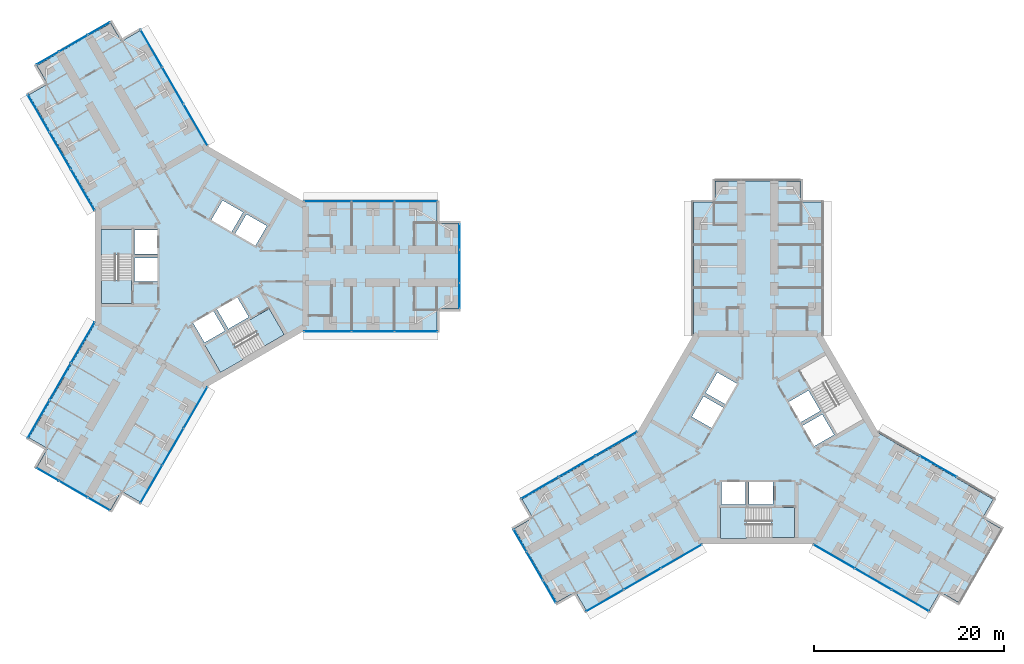
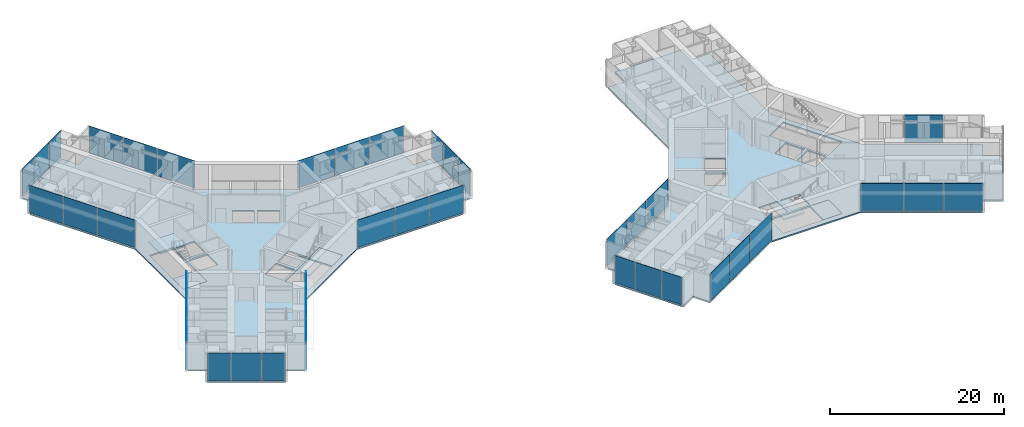
# One storey, part 14 of 25: 40 plates, 8 slabs, 17 elements without a shape of their own.
"""IFC4 building model written with IfcOpenShell, lengths in metres."""

from ifc_helpers import new_model, si_unit, direction, frame, origin, origin_2d, place, context, subcontext, project, spatial, polyline, rectangle, outline, extrude, material, layer, layer_set, type_object, element, aggregate, save


model = new_model("IFC4")

# Units and contexts
model_context = context("Model", 3, precision=1e-05, world=origin(), true_north=direction((0.0, 1.0)))
body_context = subcontext(model_context, "Body", "Model", "MODEL_VIEW")
ifc_project = project(units=[si_unit("LENGTHUNIT", "METRE"), si_unit("AREAUNIT", "SQUARE_METRE"), si_unit("VOLUMEUNIT", "CUBIC_METRE"), si_unit("PLANEANGLEUNIT", "RADIAN"), si_unit("MASSUNIT", "GRAM", prefix="KILO")], contexts=[model_context])

# Site, building, storey
site_placement = place(None, origin())
site = spatial("IfcSite", under=ifc_project, at=site_placement, CompositionType="ELEMENT")
building_placement = place(site_placement, origin())
building = spatial("IfcBuilding", under=site, at=building_placement, Name="Upepo Twin Towers", CompositionType="ELEMENT")
storey_placement = place(building_placement, frame((0.0, 0.0, 76.5)))
storey = spatial("IfcBuildingStorey", under=building, at=storey_placement, Name="L18", CompositionType="ELEMENT", Elevation=76.5)

# Curtain wall, plates
ifc_material_1 = material(Name="Aluminium and fritted glass", Category="aluminium")
curtain_wall_type = type_object("IfcCurtainWallType", Name="Tower curtain wall TW1, fritted glass", PredefinedType="NOTDEFINED", material=ifc_material_1)
curtain_wall_1_placement = place(storey_placement, origin())
curtain_wall_1 = element("IfcCurtainWall", 1, at=curtain_wall_1_placement, inside=storey, type_object=curtain_wall_type, Name="T1 L18 wing A flank L curtain wall", PredefinedType="NOTDEFINED")
ifc_material_2 = material(Name="Ceramic-fritted laminated glass", Category="glass")
ifc_layer_1 = layer(ifc_material_2, 0.031982421875)
ifc_layer_set_1 = layer_set([ifc_layer_1], Name="Fritted glass panel, 30 per cent dot frit, 32 mm double glazed")
plate_type_1 = type_object("IfcPlateType", Name="Fritted glass panel, 30 per cent dot frit, 32 mm double glazed", PredefinedType="CURTAIN_PANEL", material=ifc_layer_set_1)
plate_1_placement = place(storey_placement, frame((13.23486328125, 6.85009765625, 0.14990234375), z_axis=(0.0, 0.0, 1.0), x_axis=(1.0, 0.0, 0.0)))
plate_1 = element("IfcPlate", 2, at=plate_1_placement, type_object=plate_type_1, Name="T1 L18 wing A flank L curtain wall panel 1", PredefinedType="CURTAIN_PANEL", context=body_context, shape_type="SweptSolid", body=[
    extrude(rectangle(XDim=4.96533203125, YDim=0.031982421875, at=origin_2d()), origin(), (0.0, 0.0, 1.0), 3.85009765625),
])
plate_2_placement = place(storey_placement, frame((18.0, 6.85009765625, 0.14990234375), z_axis=(0.0, 0.0, 1.0), x_axis=(1.0, 0.0, 0.0)))
plate_2 = element("IfcPlate", 3, at=plate_2_placement, type_object=plate_type_1, Name="T1 L18 wing A flank L curtain wall panel 2", PredefinedType="CURTAIN_PANEL", context=body_context, shape_type="SweptSolid", body=[
    extrude(rectangle(XDim=4.43505859375, YDim=0.031982421875, at=origin_2d()), origin(), (0.0, 0.0, 1.0), 3.85009765625),
])
plate_3_placement = place(storey_placement, frame((22.53369140625, 6.85009765625, 0.14990234375), z_axis=(0.0, 0.0, 1.0), x_axis=(1.0, 0.0, 0.0)))
plate_3 = element("IfcPlate", 4, at=plate_3_placement, type_object=plate_type_1, Name="T1 L18 wing A flank L curtain wall panel 3", PredefinedType="CURTAIN_PANEL", context=body_context, shape_type="SweptSolid", body=[
    extrude(rectangle(XDim=4.50244140625, YDim=0.031982421875, at=origin_2d()), origin(), (0.0, 0.0, 1.0), 3.85009765625),
])
aggregate(curtain_wall_1, [plate_1, plate_2, plate_3])

curtain_wall_2_placement = place(storey_placement, origin())
curtain_wall_2 = element("IfcCurtainWall", 5, at=curtain_wall_2_placement, inside=storey, type_object=curtain_wall_type, Name="T1 L18 wing A flank R curtain wall", PredefinedType="NOTDEFINED")
plate_4_placement = place(storey_placement, frame((22.53369140625, -6.85009765625, 0.14990234375), z_axis=(0.0, 0.0, 1.0), x_axis=(-1.0, 0.0, 0.0)))
plate_4 = element("IfcPlate", 6, at=plate_4_placement, type_object=plate_type_1, Name="T1 L18 wing A flank R curtain wall panel 1", PredefinedType="CURTAIN_PANEL", context=body_context, shape_type="SweptSolid", body=[
    extrude(rectangle(XDim=4.50244140625, YDim=0.031982421875, at=origin_2d()), origin(), (0.0, 0.0, 1.0), 3.85009765625),
])
plate_5_placement = place(storey_placement, frame((18.0, -6.85009765625, 0.14990234375), z_axis=(0.0, 0.0, 1.0), x_axis=(-1.0, 0.0, 0.0)))
plate_5 = element("IfcPlate", 7, at=plate_5_placement, type_object=plate_type_1, Name="T1 L18 wing A flank R curtain wall panel 2", PredefinedType="CURTAIN_PANEL", context=body_context, shape_type="SweptSolid", body=[
    extrude(rectangle(XDim=4.43505859375, YDim=0.031982421875, at=origin_2d()), origin(), (0.0, 0.0, 1.0), 3.85009765625),
])
plate_6_placement = place(storey_placement, frame((13.23486328125, -6.85009765625, 0.14990234375), z_axis=(0.0, 0.0, 1.0), x_axis=(-1.0, 0.0, 0.0)))
plate_6 = element("IfcPlate", 8, at=plate_6_placement, type_object=plate_type_1, Name="T1 L18 wing A flank R curtain wall panel 3", PredefinedType="CURTAIN_PANEL", context=body_context, shape_type="SweptSolid", body=[
    extrude(rectangle(XDim=4.96533203125, YDim=0.031982421875, at=origin_2d()), origin(), (0.0, 0.0, 1.0), 3.85009765625),
])
aggregate(curtain_wall_2, [plate_4, plate_5, plate_6])

# Curtain wall, plate
curtain_wall_3_placement = place(storey_placement, origin())
curtain_wall_3 = element("IfcCurtainWall", 9, at=curtain_wall_3_placement, inside=storey, type_object=curtain_wall_type, Name="T1 L18 wing A nose curtain wall", PredefinedType="NOTDEFINED")
plate_7_placement = place(storey_placement, frame((27.10009765625, 0.0, 0.14990234375), z_axis=(0.0, 0.0, 1.0), x_axis=(0.0, 1.0, 0.0)))
plate_7 = element("IfcPlate", 10, at=plate_7_placement, type_object=plate_type_1, Name="T1 L18 wing A nose curtain wall panel 2", PredefinedType="CURTAIN_PANEL", context=body_context, shape_type="SweptSolid", body=[
    extrude(rectangle(XDim=3.43505859375, YDim=0.031982421875, at=origin_2d()), origin(), (0.0, 0.0, 1.0), 3.85009765625),
])

# Curtain wall, plates
curtain_wall_4_placement = place(storey_placement, origin())
curtain_wall_4 = element("IfcCurtainWall", 11, at=curtain_wall_4_placement, inside=storey, type_object=curtain_wall_type, Name="T1 L18 wing B flank L curtain wall", PredefinedType="NOTDEFINED")
plate_8_placement = place(storey_placement, frame((-12.549560546875, 8.03662109375, 0.14990234375), z_axis=(0.0, 0.0, 1.0), x_axis=(-0.500000024426, 0.866025389682, 0.0)))
plate_8 = element("IfcPlate", 12, at=plate_8_placement, type_object=plate_type_1, Name="T1 L18 wing B flank L curtain wall panel 1", PredefinedType="CURTAIN_PANEL", context=body_context, shape_type="SweptSolid", body=[
    extrude(rectangle(XDim=4.96533203125, YDim=0.031982421875, at=origin_2d()), origin(), (0.0, 0.0, 1.0), 3.85009765625),
])
plate_9_placement = place(storey_placement, frame((-14.932373046875, 12.16357421875, 0.14990234375), z_axis=(0.0, 0.0, 1.0), x_axis=(-0.500000024426, 0.866025389682, 0.0)))
plate_9 = element("IfcPlate", 13, at=plate_9_placement, type_object=plate_type_1, Name="T1 L18 wing B flank L curtain wall panel 2", PredefinedType="CURTAIN_PANEL", context=body_context, shape_type="SweptSolid", body=[
    extrude(rectangle(XDim=4.43505859375, YDim=0.031982421875, at=origin_2d()), origin(), (0.0, 0.0, 1.0), 3.85009765625),
])
plate_10_placement = place(storey_placement, frame((-17.19921875, 16.08984375, 0.14990234375), z_axis=(0.0, 0.0, 1.0), x_axis=(-0.500000024426, 0.866025389682, 0.0)))
plate_10 = element("IfcPlate", 14, at=plate_10_placement, type_object=plate_type_1, Name="T1 L18 wing B flank L curtain wall panel 3", PredefinedType="CURTAIN_PANEL", context=body_context, shape_type="SweptSolid", body=[
    extrude(rectangle(XDim=4.50244140625, YDim=0.031982421875, at=origin_2d()), origin(), (0.0, 0.0, 1.0), 3.85009765625),
])
aggregate(curtain_wall_4, [plate_8, plate_9, plate_10])

curtain_wall_5_placement = place(storey_placement, origin())
curtain_wall_5 = element("IfcCurtainWall", 15, at=curtain_wall_5_placement, inside=storey, type_object=curtain_wall_type, Name="T1 L18 wing B flank R curtain wall", PredefinedType="NOTDEFINED")
plate_11_placement = place(storey_placement, frame((-5.334716796875, 22.939697265625, 0.14990234375), z_axis=(0.0, 0.0, 1.0), x_axis=(0.500000024426, -0.866025389682, 0.0)))
plate_11 = element("IfcPlate", 16, at=plate_11_placement, type_object=plate_type_1, Name="T1 L18 wing B flank R curtain wall panel 1", PredefinedType="CURTAIN_PANEL", context=body_context, shape_type="SweptSolid", body=[
    extrude(rectangle(XDim=4.50244140625, YDim=0.031982421875, at=origin_2d()), origin(), (0.0, 0.0, 1.0), 3.85009765625),
])
plate_12_placement = place(storey_placement, frame((-3.067626953125, 19.013427734375, 0.14990234375), z_axis=(0.0, 0.0, 1.0), x_axis=(0.500000024426, -0.866025389682, 0.0)))
plate_12 = element("IfcPlate", 17, at=plate_12_placement, type_object=plate_type_1, Name="T1 L18 wing B flank R curtain wall panel 2", PredefinedType="CURTAIN_PANEL", context=body_context, shape_type="SweptSolid", body=[
    extrude(rectangle(XDim=4.43505859375, YDim=0.031982421875, at=origin_2d()), origin(), (0.0, 0.0, 1.0), 3.85009765625),
])
plate_13_placement = place(storey_placement, frame((-0.68505859375, 14.88671875, 0.14990234375), z_axis=(0.0, 0.0, 1.0), x_axis=(0.500000024426, -0.866025389682, 0.0)))
plate_13 = element("IfcPlate", 18, at=plate_13_placement, type_object=plate_type_1, Name="T1 L18 wing B flank R curtain wall panel 3", PredefinedType="CURTAIN_PANEL", context=body_context, shape_type="SweptSolid", body=[
    extrude(rectangle(XDim=4.96533203125, YDim=0.031982421875, at=origin_2d()), origin(), (0.0, 0.0, 1.0), 3.85009765625),
])
aggregate(curtain_wall_5, [plate_11, plate_12, plate_13])

# Curtain wall, plate
curtain_wall_6_placement = place(storey_placement, origin())
curtain_wall_6 = element("IfcCurtainWall", 19, at=curtain_wall_6_placement, inside=storey, type_object=curtain_wall_type, Name="T1 L18 wing B nose curtain wall", PredefinedType="NOTDEFINED")
plate_14_placement = place(storey_placement, frame((-13.550048828125, 23.46923828125, 0.14990234375), z_axis=(0.0, 0.0, 1.0), x_axis=(-0.866025386174, -0.500000030502, 0.0)))
plate_14 = element("IfcPlate", 20, at=plate_14_placement, type_object=plate_type_1, Name="T1 L18 wing B nose curtain wall panel 2", PredefinedType="CURTAIN_PANEL", context=body_context, shape_type="SweptSolid", body=[
    extrude(rectangle(XDim=3.43505859375, YDim=0.031982421875, at=origin_2d()), origin(), (0.0, 0.0, 1.0), 3.85009765625),
])

# Curtain wall, plates
curtain_wall_7_placement = place(storey_placement, origin())
curtain_wall_7 = element("IfcCurtainWall", 21, at=curtain_wall_7_placement, inside=storey, type_object=curtain_wall_type, Name="T1 L18 wing C flank L curtain wall", PredefinedType="NOTDEFINED")
plate_15_placement = place(storey_placement, frame((-0.68505859375, -14.88671875, 0.14990234375), z_axis=(0.0, 0.0, 1.0), x_axis=(-0.500000024426, -0.866025389682, 0.0)))
plate_15 = element("IfcPlate", 22, at=plate_15_placement, type_object=plate_type_1, Name="T1 L18 wing C flank L curtain wall panel 1", PredefinedType="CURTAIN_PANEL", context=body_context, shape_type="SweptSolid", body=[
    extrude(rectangle(XDim=4.96533203125, YDim=0.031982421875, at=origin_2d()), origin(), (0.0, 0.0, 1.0), 3.85009765625),
])
plate_16_placement = place(storey_placement, frame((-3.067626953125, -19.013427734375, 0.14990234375), z_axis=(0.0, 0.0, 1.0), x_axis=(-0.500000024426, -0.866025389682, 0.0)))
plate_16 = element("IfcPlate", 23, at=plate_16_placement, type_object=plate_type_1, Name="T1 L18 wing C flank L curtain wall panel 2", PredefinedType="CURTAIN_PANEL", context=body_context, shape_type="SweptSolid", body=[
    extrude(rectangle(XDim=4.43505859375, YDim=0.031982421875, at=origin_2d()), origin(), (0.0, 0.0, 1.0), 3.85009765625),
])
plate_17_placement = place(storey_placement, frame((-5.334716796875, -22.939697265625, 0.14990234375), z_axis=(0.0, 0.0, 1.0), x_axis=(-0.500000024426, -0.866025389682, 0.0)))
plate_17 = element("IfcPlate", 24, at=plate_17_placement, type_object=plate_type_1, Name="T1 L18 wing C flank L curtain wall panel 3", PredefinedType="CURTAIN_PANEL", context=body_context, shape_type="SweptSolid", body=[
    extrude(rectangle(XDim=4.50244140625, YDim=0.031982421875, at=origin_2d()), origin(), (0.0, 0.0, 1.0), 3.85009765625),
])
aggregate(curtain_wall_7, [plate_15, plate_16, plate_17])

curtain_wall_8_placement = place(storey_placement, origin())
curtain_wall_8 = element("IfcCurtainWall", 25, at=curtain_wall_8_placement, inside=storey, type_object=curtain_wall_type, Name="T1 L18 wing C flank R curtain wall", PredefinedType="NOTDEFINED")
plate_18_placement = place(storey_placement, frame((-17.19921875, -16.08984375, 0.14990234375), z_axis=(0.0, 0.0, 1.0), x_axis=(0.500000024426, 0.866025389682, 0.0)))
plate_18 = element("IfcPlate", 26, at=plate_18_placement, type_object=plate_type_1, Name="T1 L18 wing C flank R curtain wall panel 1", PredefinedType="CURTAIN_PANEL", context=body_context, shape_type="SweptSolid", body=[
    extrude(rectangle(XDim=4.50244140625, YDim=0.031982421875, at=origin_2d()), origin(), (0.0, 0.0, 1.0), 3.85009765625),
])
plate_19_placement = place(storey_placement, frame((-14.932373046875, -12.16357421875, 0.14990234375), z_axis=(0.0, 0.0, 1.0), x_axis=(0.500000024426, 0.866025389682, 0.0)))
plate_19 = element("IfcPlate", 27, at=plate_19_placement, type_object=plate_type_1, Name="T1 L18 wing C flank R curtain wall panel 2", PredefinedType="CURTAIN_PANEL", context=body_context, shape_type="SweptSolid", body=[
    extrude(rectangle(XDim=4.43505859375, YDim=0.031982421875, at=origin_2d()), origin(), (0.0, 0.0, 1.0), 3.85009765625),
])
plate_20_placement = place(storey_placement, frame((-12.549560546875, -8.03662109375, 0.14990234375), z_axis=(0.0, 0.0, 1.0), x_axis=(0.500000024426, 0.866025389682, 0.0)))
plate_20 = element("IfcPlate", 28, at=plate_20_placement, type_object=plate_type_1, Name="T1 L18 wing C flank R curtain wall panel 3", PredefinedType="CURTAIN_PANEL", context=body_context, shape_type="SweptSolid", body=[
    extrude(rectangle(XDim=4.96533203125, YDim=0.031982421875, at=origin_2d()), origin(), (0.0, 0.0, 1.0), 3.85009765625),
])
aggregate(curtain_wall_8, [plate_18, plate_19, plate_20])

# Curtain wall, plate
curtain_wall_9_placement = place(storey_placement, origin())
curtain_wall_9 = element("IfcCurtainWall", 29, at=curtain_wall_9_placement, inside=storey, type_object=curtain_wall_type, Name="T1 L18 wing C nose curtain wall", PredefinedType="NOTDEFINED")
plate_21_placement = place(storey_placement, frame((-13.550048828125, -23.46923828125, 0.14990234375), z_axis=(0.0, 0.0, 1.0), x_axis=(0.866025386174, -0.500000030502, 0.0)))
plate_21 = element("IfcPlate", 30, at=plate_21_placement, type_object=plate_type_1, Name="T1 L18 wing C nose curtain wall panel 2", PredefinedType="CURTAIN_PANEL", context=body_context, shape_type="SweptSolid", body=[
    extrude(rectangle(XDim=3.43505859375, YDim=0.031982421875, at=origin_2d()), origin(), (0.0, 0.0, 1.0), 3.85009765625),
])

# Curtain wall, plates
curtain_wall_10_placement = place(storey_placement, origin())
curtain_wall_10 = element("IfcCurtainWall", 31, at=curtain_wall_10_placement, inside=storey, type_object=curtain_wall_type, Name="T2 L18 wing B flank L curtain wall", PredefinedType="NOTDEFINED")
plate_22_placement = place(storey_placement, frame((50.46337890625, -30.549560546875, 0.14990234375), z_axis=(0.0, 0.0, 1.0), x_axis=(-0.866025389682, -0.500000024426, 0.0)))
plate_22 = element("IfcPlate", 32, at=plate_22_placement, type_object=plate_type_1, Name="T2 L18 wing B flank L curtain wall panel 1", PredefinedType="CURTAIN_PANEL", context=body_context, shape_type="SweptSolid", body=[
    extrude(rectangle(XDim=4.96533203125, YDim=0.031982421875, at=origin_2d()), origin(), (0.0, 0.0, 1.0), 3.85009765625),
])
plate_23_placement = place(storey_placement, frame((46.33642578125, -32.932373046875, 0.14990234375), z_axis=(0.0, 0.0, 1.0), x_axis=(-0.866025389682, -0.500000024426, 0.0)))
plate_23 = element("IfcPlate", 33, at=plate_23_placement, type_object=plate_type_1, Name="T2 L18 wing B flank L curtain wall panel 2", PredefinedType="CURTAIN_PANEL", context=body_context, shape_type="SweptSolid", body=[
    extrude(rectangle(XDim=4.43505859375, YDim=0.031982421875, at=origin_2d()), origin(), (0.0, 0.0, 1.0), 3.85009765625),
])
plate_24_placement = place(storey_placement, frame((42.41015625, -35.19921875, 0.14990234375), z_axis=(0.0, 0.0, 1.0), x_axis=(-0.866025389682, -0.500000024426, 0.0)))
plate_24 = element("IfcPlate", 34, at=plate_24_placement, type_object=plate_type_1, Name="T2 L18 wing B flank L curtain wall panel 3", PredefinedType="CURTAIN_PANEL", context=body_context, shape_type="SweptSolid", body=[
    extrude(rectangle(XDim=4.50244140625, YDim=0.031982421875, at=origin_2d()), origin(), (0.0, 0.0, 1.0), 3.85009765625),
])
aggregate(curtain_wall_10, [plate_22, plate_23, plate_24])

curtain_wall_11_placement = place(storey_placement, origin())
curtain_wall_11 = element("IfcCurtainWall", 35, at=curtain_wall_11_placement, inside=storey, type_object=curtain_wall_type, Name="T2 L18 wing B flank R curtain wall", PredefinedType="NOTDEFINED")
plate_25_placement = place(storey_placement, frame((35.560302734375, -23.334716796875, 0.14990234375), z_axis=(0.0, 0.0, 1.0), x_axis=(0.866025389682, 0.500000024426, 0.0)))
plate_25 = element("IfcPlate", 36, at=plate_25_placement, type_object=plate_type_1, Name="T2 L18 wing B flank R curtain wall panel 1", PredefinedType="CURTAIN_PANEL", context=body_context, shape_type="SweptSolid", body=[
    extrude(rectangle(XDim=4.50244140625, YDim=0.031982421875, at=origin_2d()), origin(), (0.0, 0.0, 1.0), 3.85009765625),
])
plate_26_placement = place(storey_placement, frame((39.486572265625, -21.067626953125, 0.14990234375), z_axis=(0.0, 0.0, 1.0), x_axis=(0.866025389682, 0.500000024426, 0.0)))
plate_26 = element("IfcPlate", 37, at=plate_26_placement, type_object=plate_type_1, Name="T2 L18 wing B flank R curtain wall panel 2", PredefinedType="CURTAIN_PANEL", context=body_context, shape_type="SweptSolid", body=[
    extrude(rectangle(XDim=4.43505859375, YDim=0.031982421875, at=origin_2d()), origin(), (0.0, 0.0, 1.0), 3.85009765625),
])
plate_27_placement = place(storey_placement, frame((43.61328125, -18.68505859375, 0.14990234375), z_axis=(0.0, 0.0, 1.0), x_axis=(0.866025389682, 0.500000024426, 0.0)))
plate_27 = element("IfcPlate", 38, at=plate_27_placement, type_object=plate_type_1, Name="T2 L18 wing B flank R curtain wall panel 3", PredefinedType="CURTAIN_PANEL", context=body_context, shape_type="SweptSolid", body=[
    extrude(rectangle(XDim=4.96533203125, YDim=0.031982421875, at=origin_2d()), origin(), (0.0, 0.0, 1.0), 3.85009765625),
])
aggregate(curtain_wall_11, [plate_25, plate_26, plate_27])

# Curtain wall, plate
curtain_wall_12_placement = place(storey_placement, origin())
curtain_wall_12 = element("IfcCurtainWall", 39, at=curtain_wall_12_placement, inside=storey, type_object=curtain_wall_type, Name="T2 L18 wing B nose curtain wall", PredefinedType="NOTDEFINED")
plate_28_placement = place(storey_placement, frame((35.03076171875, -31.550048828125, 0.14990234375), z_axis=(0.0, 0.0, 1.0), x_axis=(0.500000030502, -0.866025386174, 0.0)))
plate_28 = element("IfcPlate", 40, at=plate_28_placement, type_object=plate_type_1, Name="T2 L18 wing B nose curtain wall panel 2", PredefinedType="CURTAIN_PANEL", context=body_context, shape_type="SweptSolid", body=[
    extrude(rectangle(XDim=3.43505859375, YDim=0.031982421875, at=origin_2d()), origin(), (0.0, 0.0, 1.0), 3.85009765625),
])

curtain_wall_13_placement = place(storey_placement, origin())
curtain_wall_13 = element("IfcCurtainWall", 41, at=curtain_wall_13_placement, inside=storey, type_object=curtain_wall_type, Name="T2 L18 wing C flank L curtain wall", PredefinedType="NOTDEFINED")
plate_29_placement = place(storey_placement, frame((77.513427734375, -21.067626953125, 0.14990234375), z_axis=(0.0, 0.0, 1.0), x_axis=(0.866025389682, -0.500000024426, 0.0)))
plate_29 = element("IfcPlate", 42, at=plate_29_placement, type_object=plate_type_1, Name="T2 L18 wing C flank L curtain wall panel 2", PredefinedType="CURTAIN_PANEL", context=body_context, shape_type="SweptSolid", body=[
    extrude(rectangle(XDim=4.43505859375, YDim=0.031982421875, at=origin_2d()), origin(), (0.0, 0.0, 1.0), 3.85009765625),
])
aggregate(curtain_wall_13, [plate_29])

# Curtain wall, plates
curtain_wall_14_placement = place(storey_placement, origin())
curtain_wall_14 = element("IfcCurtainWall", 43, at=curtain_wall_14_placement, inside=storey, type_object=curtain_wall_type, Name="T2 L18 wing C flank R curtain wall", PredefinedType="NOTDEFINED")
plate_30_placement = place(storey_placement, frame((74.58984375, -35.19921875, 0.14990234375), z_axis=(0.0, 0.0, 1.0), x_axis=(-0.866025389682, 0.500000024426, 0.0)))
plate_30 = element("IfcPlate", 44, at=plate_30_placement, type_object=plate_type_1, Name="T2 L18 wing C flank R curtain wall panel 1", PredefinedType="CURTAIN_PANEL", context=body_context, shape_type="SweptSolid", body=[
    extrude(rectangle(XDim=4.50244140625, YDim=0.031982421875, at=origin_2d()), origin(), (0.0, 0.0, 1.0), 3.85009765625),
])
plate_31_placement = place(storey_placement, frame((70.66357421875, -32.932373046875, 0.14990234375), z_axis=(0.0, 0.0, 1.0), x_axis=(-0.866025389682, 0.500000024426, 0.0)))
plate_31 = element("IfcPlate", 45, at=plate_31_placement, type_object=plate_type_1, Name="T2 L18 wing C flank R curtain wall panel 2", PredefinedType="CURTAIN_PANEL", context=body_context, shape_type="SweptSolid", body=[
    extrude(rectangle(XDim=4.43505859375, YDim=0.031982421875, at=origin_2d()), origin(), (0.0, 0.0, 1.0), 3.85009765625),
])
plate_32_placement = place(storey_placement, frame((66.53662109375, -30.549560546875, 0.14990234375), z_axis=(0.0, 0.0, 1.0), x_axis=(-0.866025389682, 0.500000024426, 0.0)))
plate_32 = element("IfcPlate", 46, at=plate_32_placement, type_object=plate_type_1, Name="T2 L18 wing C flank R curtain wall panel 3", PredefinedType="CURTAIN_PANEL", context=body_context, shape_type="SweptSolid", body=[
    extrude(rectangle(XDim=4.96533203125, YDim=0.031982421875, at=origin_2d()), origin(), (0.0, 0.0, 1.0), 3.85009765625),
])
aggregate(curtain_wall_14, [plate_30, plate_31, plate_32])

# Plate
ifc_material_3 = material(Name="Clear laminated glass in opening sash", Category="glass")
ifc_layer_2 = layer(ifc_material_3, 0.031982421875)
ifc_layer_set_2 = layer_set([ifc_layer_2], Name="Operable glass panel, 32 mm double glazed")
plate_type_2 = type_object("IfcPlateType", Name="Operable glass panel, 32 mm double glazed", PredefinedType="CURTAIN_PANEL", material=ifc_layer_set_2)
plate_33_placement = place(storey_placement, frame((27.10009765625, -3.108642578125, 0.14990234375), z_axis=(0.0, 0.0, 1.0), x_axis=(0.0, 1.0, 0.0)))
plate_33 = element("IfcPlate", 47, at=plate_33_placement, type_object=plate_type_2, Name="T1 L18 wing A nose curtain wall panel 1", PredefinedType="CURTAIN_PANEL", context=body_context, shape_type="SweptSolid", body=[
    extrude(rectangle(XDim=2.652587890625, YDim=0.031982421875, at=origin_2d()), origin(), (0.0, 0.0, 1.0), 3.85009765625),
])

plate_34_placement = place(storey_placement, frame((27.10009765625, 3.108642578125, 0.14990234375), z_axis=(0.0, 0.0, 1.0), x_axis=(0.0, 1.0, 0.0)))
plate_34 = element("IfcPlate", 48, at=plate_34_placement, type_object=plate_type_2, Name="T1 L18 wing A nose curtain wall panel 3", PredefinedType="CURTAIN_PANEL", context=body_context, shape_type="SweptSolid", body=[
    extrude(rectangle(XDim=2.652587890625, YDim=0.031982421875, at=origin_2d()), origin(), (0.0, 0.0, 1.0), 3.85009765625),
])

aggregate(curtain_wall_3, [plate_33, plate_7, plate_34])

plate_35_placement = place(storey_placement, frame((-10.857666015625, 25.023681640625, 0.14990234375), z_axis=(0.0, 0.0, 1.0), x_axis=(-0.866025386174, -0.500000030502, 0.0)))
plate_35 = element("IfcPlate", 49, at=plate_35_placement, type_object=plate_type_2, Name="T1 L18 wing B nose curtain wall panel 1", PredefinedType="CURTAIN_PANEL", context=body_context, shape_type="SweptSolid", body=[
    extrude(rectangle(XDim=2.652587890625, YDim=0.031982421875, at=origin_2d()), origin(), (0.0, 0.0, 1.0), 3.85009765625),
])

plate_36_placement = place(storey_placement, frame((-16.2421875, 21.914794921875, 0.14990234375), z_axis=(0.0, 0.0, 1.0), x_axis=(-0.866025386174, -0.500000030502, 0.0)))
plate_36 = element("IfcPlate", 50, at=plate_36_placement, type_object=plate_type_2, Name="T1 L18 wing B nose curtain wall panel 3", PredefinedType="CURTAIN_PANEL", context=body_context, shape_type="SweptSolid", body=[
    extrude(rectangle(XDim=2.652587890625, YDim=0.031982421875, at=origin_2d()), origin(), (0.0, 0.0, 1.0), 3.85009765625),
])

aggregate(curtain_wall_6, [plate_35, plate_14, plate_36])

plate_37_placement = place(storey_placement, frame((-16.2421875, -21.914794921875, 0.14990234375), z_axis=(0.0, 0.0, 1.0), x_axis=(0.866025386174, -0.500000030502, 0.0)))
plate_37 = element("IfcPlate", 51, at=plate_37_placement, type_object=plate_type_2, Name="T1 L18 wing C nose curtain wall panel 1", PredefinedType="CURTAIN_PANEL", context=body_context, shape_type="SweptSolid", body=[
    extrude(rectangle(XDim=2.652587890625, YDim=0.031982421875, at=origin_2d()), origin(), (0.0, 0.0, 1.0), 3.85009765625),
])

plate_38_placement = place(storey_placement, frame((-10.857666015625, -25.023681640625, 0.14990234375), z_axis=(0.0, 0.0, 1.0), x_axis=(0.866025386174, -0.500000030502, 0.0)))
plate_38 = element("IfcPlate", 52, at=plate_38_placement, type_object=plate_type_2, Name="T1 L18 wing C nose curtain wall panel 3", PredefinedType="CURTAIN_PANEL", context=body_context, shape_type="SweptSolid", body=[
    extrude(rectangle(XDim=2.652587890625, YDim=0.031982421875, at=origin_2d()), origin(), (0.0, 0.0, 1.0), 3.85009765625),
])

aggregate(curtain_wall_9, [plate_37, plate_21, plate_38])

plate_39_placement = place(storey_placement, frame((33.476318359375, -28.857666015625, 0.14990234375), z_axis=(0.0, 0.0, 1.0), x_axis=(0.500000030502, -0.866025386174, 0.0)))
plate_39 = element("IfcPlate", 53, at=plate_39_placement, type_object=plate_type_2, Name="T2 L18 wing B nose curtain wall panel 1", PredefinedType="CURTAIN_PANEL", context=body_context, shape_type="SweptSolid", body=[
    extrude(rectangle(XDim=2.652587890625, YDim=0.031982421875, at=origin_2d()), origin(), (0.0, 0.0, 1.0), 3.85009765625),
])

plate_40_placement = place(storey_placement, frame((36.585205078125, -34.2421875, 0.14990234375), z_axis=(0.0, 0.0, 1.0), x_axis=(0.500000030502, -0.866025386174, 0.0)))
plate_40 = element("IfcPlate", 54, at=plate_40_placement, type_object=plate_type_2, Name="T2 L18 wing B nose curtain wall panel 3", PredefinedType="CURTAIN_PANEL", context=body_context, shape_type="SweptSolid", body=[
    extrude(rectangle(XDim=2.652587890625, YDim=0.031982421875, at=origin_2d()), origin(), (0.0, 0.0, 1.0), 3.85009765625),
])

aggregate(curtain_wall_12, [plate_39, plate_28, plate_40])

# Stair, slabs
ifc_material_4 = material(Name="Concrete C40/50", Category="concrete")
stair_type = type_object("IfcStairType", Name="Core stair, two flights", PredefinedType="HALF_TURN_STAIR", material=ifc_material_4)
stair_1_placement = place(storey_placement, origin())
stair_1 = element("IfcStair", 55, at=stair_1_placement, inside=storey, type_object=stair_type, Name="T1 stair S1 L18", PredefinedType="HALF_TURN_STAIR")
ifc_material_5 = material(Name="Concrete C40/50", Category="concrete")
ifc_layer_3 = layer(ifc_material_5, 0.199951171875)
ifc_layer_set_3 = layer_set([ifc_layer_3], Name="Concrete C40/50")
slab_type_1 = type_object("IfcSlabType", Name="Stair landing 200 RC", PredefinedType="LANDING", material=ifc_layer_set_3)
slab_1_placement = place(storey_placement, frame((0.0, 0.0, -0.199951171875)))
slab_1 = element("IfcSlab", 56, at=slab_1_placement, type_object=slab_type_1, Name="Stair S1 landing 1", PredefinedType="LANDING", context=body_context, shape_type="SweptSolid", body=[
    extrude(outline(polyline([(-7.39990234375, -1.419921875), (-10.558349609375, -1.419921875), (-10.558349609375, -3.89990234375), (-7.39990234375, -3.89990234375), (-7.39990234375, -1.419921875)])), origin(), (0.0, 0.0, 1.0), 0.199951171875),
])
slab_2_placement = place(storey_placement, frame((0.0, 0.0, 1.800048828125)))
slab_2 = element("IfcSlab", 57, at=slab_2_placement, type_object=slab_type_1, Name="Stair S1 landing 2", PredefinedType="LANDING", context=body_context, shape_type="SweptSolid", body=[
    extrude(outline(polyline([(-7.300048828125, 3.89990234375), (-10.658447265625, 3.89990234375), (-10.658447265625, 1.179931640625), (-7.300048828125, 1.179931640625), (-7.300048828125, 3.89990234375)])), origin(), (0.0, 0.0, 1.0), 0.199951171875),
])
aggregate(stair_1, [slab_1, slab_2])

stair_2_placement = place(storey_placement, origin())
stair_2 = element("IfcStair", 58, at=stair_2_placement, inside=storey, type_object=stair_type, Name="T1 stair S2 L18", PredefinedType="HALF_TURN_STAIR")
slab_3_placement = place(storey_placement, frame((0.0, 0.0, -0.199951171875)))
slab_3 = element("IfcSlab", 59, at=slab_3_placement, type_object=slab_type_1, Name="Stair S2 landing 1", PredefinedType="LANDING", context=body_context, shape_type="SweptSolid", body=[
    extrude(outline(polyline([(4.9296875, -5.698486328125), (6.509033203125, -8.433837890625), (8.65673828125, -7.19384765625), (7.077392578125, -4.45849609375), (4.9296875, -5.698486328125)])), origin(), (0.0, 0.0, 1.0), 0.199951171875),
])
slab_4_placement = place(storey_placement, frame((0.0, 0.0, 1.800048828125)))
slab_4 = element("IfcSlab", 60, at=slab_4_placement, type_object=slab_type_1, Name="Stair S2 landing 2", PredefinedType="LANDING", context=body_context, shape_type="SweptSolid", body=[
    extrude(outline(polyline([(0.2724609375, -8.27197265625), (1.95166015625, -11.180419921875), (4.307373046875, -9.8203125), (2.628173828125, -6.911865234375), (0.2724609375, -8.27197265625)])), origin(), (0.0, 0.0, 1.0), 0.199951171875),
])
aggregate(stair_2, [slab_3, slab_4])

stair_3_placement = place(storey_placement, origin())
stair_3 = element("IfcStair", 61, at=stair_3_placement, inside=storey, type_object=stair_type, Name="T2 stair S1 L18", PredefinedType="HALF_TURN_STAIR")
slab_5_placement = place(storey_placement, frame((0.0, 0.0, -0.199951171875)))
slab_5 = element("IfcSlab", 62, at=slab_5_placement, type_object=slab_type_1, Name="Stair S1 landing 1", PredefinedType="LANDING", context=body_context, shape_type="SweptSolid", body=[
    extrude(outline(polyline([(59.919921875, -25.39990234375), (59.919921875, -28.558349609375), (62.39990234375, -28.558349609375), (62.39990234375, -25.39990234375), (59.919921875, -25.39990234375)])), origin(), (0.0, 0.0, 1.0), 0.199951171875),
])
slab_6_placement = place(storey_placement, frame((0.0, 0.0, 1.800048828125)))
slab_6 = element("IfcSlab", 63, at=slab_6_placement, type_object=slab_type_1, Name="Stair S1 landing 2", PredefinedType="LANDING", context=body_context, shape_type="SweptSolid", body=[
    extrude(outline(polyline([(54.60009765625, -25.300048828125), (54.60009765625, -28.658447265625), (57.320068359375, -28.658447265625), (57.320068359375, -25.300048828125), (54.60009765625, -25.300048828125)])), origin(), (0.0, 0.0, 1.0), 0.199951171875),
])
aggregate(stair_3, [slab_5, slab_6])

# Slabs
ifc_material_6 = material(Name="Concrete C40/50", Category="concrete")
ifc_layer_4 = layer(ifc_material_6, 0.199951171875)
ifc_layer_set_4 = layer_set([ifc_layer_4], Name="Concrete C40/50")
slab_type_2 = type_object("IfcSlabType", Name="Tower floor slab 200 RC", PredefinedType="FLOOR", material=ifc_layer_set_4)
slab_7_placement = place(storey_placement, frame((0.0, 0.0, -0.199951171875)))
element("IfcSlab", 64, at=slab_7_placement, inside=storey, type_object=slab_type_2, Name="T1 L18 floor slab", PredefinedType="FLOOR", context=body_context, shape_type="SweptSolid", body=[
    extrude(outline(polyline([(-8.477783203125, -23.68408203125), (-9.602783203125, -25.632568359375), (-17.397216796875, -21.132568359375), (-16.272216796875, -19.18408203125), (-18.220703125, -18.05908203125), (-11.25830078125, -6.0), (-11.25830078125, 6.0), (-18.220703125, 18.05908203125), (-16.272216796875, 19.18408203125), (-17.397216796875, 21.132568359375), (-9.602783203125, 25.632568359375), (-8.477783203125, 23.68408203125), (-6.529296875, 24.80908203125), (0.43310546875, 12.75), (10.825439453125, 6.75), (24.75, 6.75), (24.75, 4.5), (27.0, 4.5), (27.0, -4.5), (24.75, -4.5), (24.75, -6.75), (10.825439453125, -6.75), (0.43310546875, -12.75), (-6.529296875, -24.80908203125), (-8.477783203125, -23.68408203125)]), holes=[polyline([(5.640869140625, 2.17041015625), (6.8408203125, 4.248779296875), (4.67578125, 5.498779296875), (3.475830078125, 3.42041015625), (5.640869140625, 2.17041015625)]), polyline([(3.12939453125, 3.620361328125), (4.329345703125, 5.69873046875), (2.164306640625, 6.94873046875), (0.96435546875, 4.870361328125), (3.12939453125, 3.620361328125)]), polyline([(-4.699951171875, 3.800048828125), (-7.10009765625, 3.800048828125), (-7.10009765625, 1.300048828125), (-4.699951171875, 1.300048828125), (-4.699951171875, 3.800048828125)]), polyline([(-4.699951171875, 0.89990234375), (-7.10009765625, 0.89990234375), (-7.10009765625, -1.60009765625), (-4.699951171875, -1.60009765625), (-4.699951171875, 0.89990234375)]), polyline([(-7.39990234375, 3.89990234375), (-10.558349609375, 3.89990234375), (-10.558349609375, -3.89990234375), (-7.39990234375, -3.89990234375), (-7.39990234375, 3.89990234375)]), polyline([(-0.94091796875, -5.97021484375), (0.259033203125, -8.048828125), (2.424072265625, -6.798828125), (1.22412109375, -4.72021484375), (-0.94091796875, -5.97021484375)]), polyline([(1.570556640625, -4.520263671875), (2.7705078125, -6.598876953125), (4.935546875, -5.348876953125), (3.735595703125, -3.270263671875), (1.570556640625, -4.520263671875)]), polyline([(0.322509765625, -8.358642578125), (1.901611328125, -11.09375), (8.65673828125, -7.19384765625), (7.077392578125, -4.45849609375), (0.322509765625, -8.358642578125)])]), origin(), (0.0, 0.0, 1.0), 0.199951171875),
])
slab_8_placement = place(storey_placement, frame((0.0, 0.0, -0.199951171875)))
element("IfcSlab", 65, at=slab_8_placement, inside=storey, type_object=slab_type_2, Name="T2 L18 floor slab", PredefinedType="FLOOR", context=body_context, shape_type="SweptSolid", body=[
    extrude(outline(polyline([(82.18408203125, -26.477783203125), (84.132568359375, -27.602783203125), (79.632568359375, -35.397216796875), (77.68408203125, -34.272216796875), (76.55908203125, -36.220703125), (64.5, -29.25830078125), (52.5, -29.25830078125), (40.44091796875, -36.220703125), (39.31591796875, -34.272216796875), (37.367431640625, -35.397216796875), (32.867431640625, -27.602783203125), (34.81591796875, -26.477783203125), (33.69091796875, -24.529296875), (45.75, -17.56689453125), (51.75, -7.174560546875), (51.75, 6.75), (54.0, 6.75), (54.0, 9.0), (63.0, 9.0), (63.0, 6.75), (65.25, 6.75), (65.25, -7.174560546875), (71.25, -17.56689453125), (83.30908203125, -24.529296875), (82.18408203125, -26.477783203125)]), holes=[polyline([(56.32958984375, -12.359130859375), (54.251220703125, -11.1591796875), (53.001220703125, -13.32421875), (55.07958984375, -14.524169921875), (56.32958984375, -12.359130859375)]), polyline([(54.879638671875, -14.87060546875), (52.80126953125, -13.670654296875), (51.55126953125, -15.835693359375), (53.629638671875, -17.03564453125), (54.879638671875, -14.87060546875)]), polyline([(54.699951171875, -22.699951171875), (54.699951171875, -25.10009765625), (57.199951171875, -25.10009765625), (57.199951171875, -22.699951171875), (54.699951171875, -22.699951171875)]), polyline([(57.60009765625, -22.699951171875), (57.60009765625, -25.10009765625), (60.10009765625, -25.10009765625), (60.10009765625, -22.699951171875), (57.60009765625, -22.699951171875)]), polyline([(54.60009765625, -25.39990234375), (54.60009765625, -28.558349609375), (62.39990234375, -28.558349609375), (62.39990234375, -25.39990234375), (54.60009765625, -25.39990234375)]), polyline([(64.47021484375, -18.94091796875), (66.548828125, -17.740966796875), (65.298828125, -15.575927734375), (63.22021484375, -16.77587890625), (64.47021484375, -18.94091796875)]), polyline([(63.020263671875, -16.429443359375), (65.098876953125, -15.2294921875), (63.848876953125, -13.064453125), (61.770263671875, -14.264404296875), (63.020263671875, -16.429443359375)]), polyline([(66.858642578125, -17.677490234375), (69.59375, -16.098388671875), (65.69384765625, -9.34326171875), (62.95849609375, -10.922607421875), (66.858642578125, -17.677490234375)])]), origin(), (0.0, 0.0, 1.0), 0.199951171875),
])

save(model, "model.ifc")
